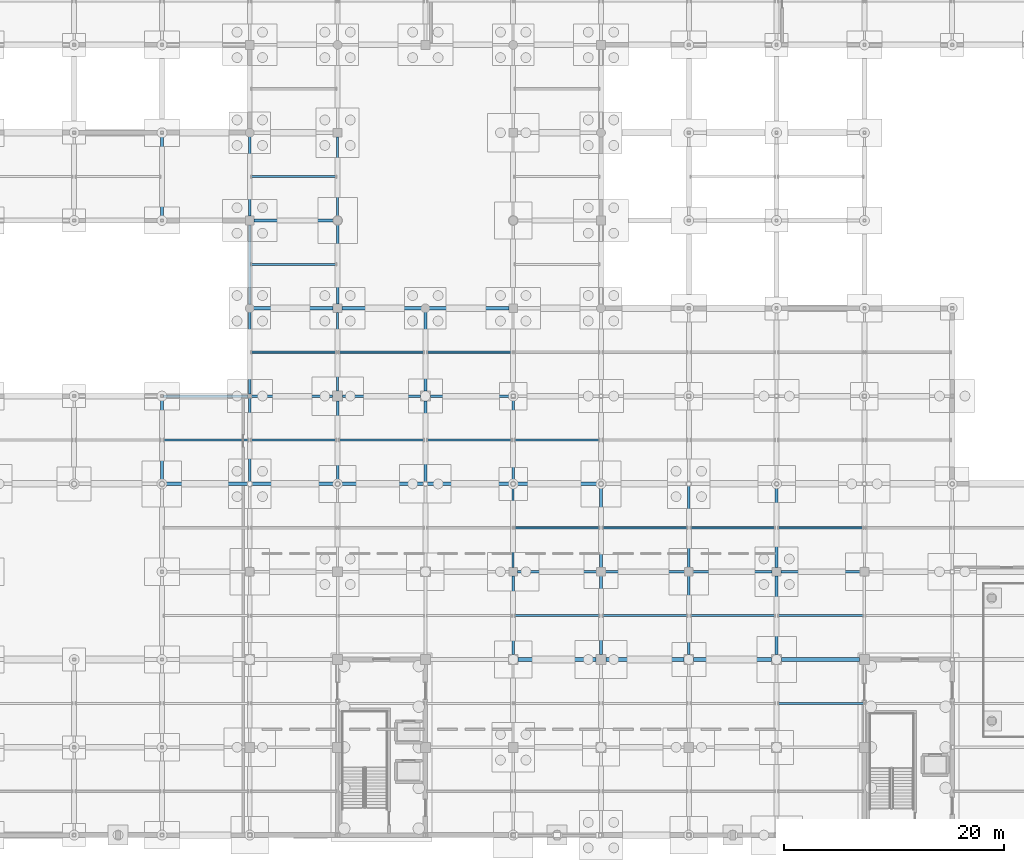
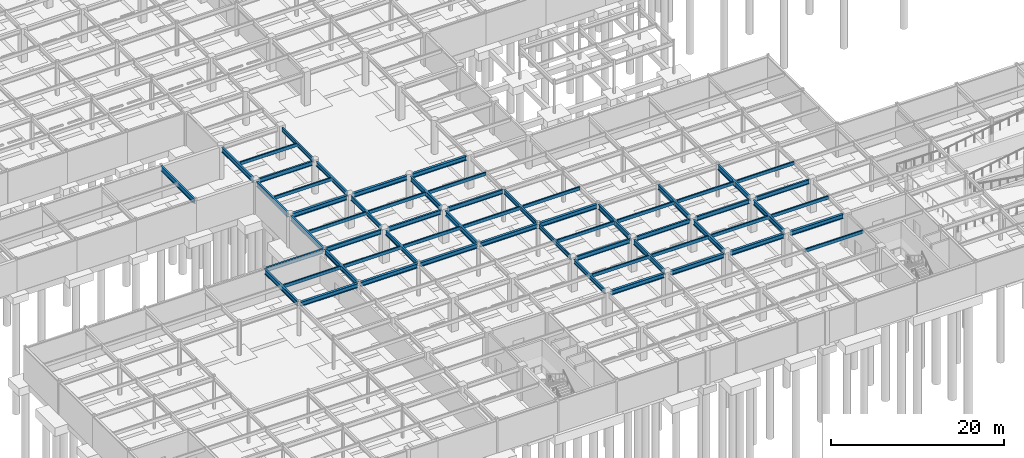
# One storey, part 46 of 105: 61 beams.
"""IFC4 building model written with IfcOpenShell, lengths in metres."""

from ifc_helpers import new_model, si_unit, direction, frame, origin, origin_2d, place, context, subcontext, project, spatial, hollow_rectangle, i_section, extrude, material, material_profile, profile_set, type_object, element, save


model = new_model("IFC4")

# Units and contexts
model_context = context("Model", 3, precision=1e-05, world=origin(), true_north=direction((0.0, 1.0)))
body_context = subcontext(model_context, "Body", "Model", "MODEL_VIEW")
ifc_project = project(units=[si_unit("LENGTHUNIT", "METRE"), si_unit("AREAUNIT", "SQUARE_METRE"), si_unit("VOLUMEUNIT", "CUBIC_METRE"), si_unit("PLANEANGLEUNIT", "RADIAN"), si_unit("MASSUNIT", "GRAM", prefix="KILO")], contexts=[model_context])

# Site, building, storey
site_placement = place(None, origin())
site = spatial("IfcSite", under=ifc_project, at=site_placement, CompositionType="ELEMENT")
building_placement = place(site_placement, origin())
building = spatial("IfcBuilding", under=site, at=building_placement, Name="Solmirada Galleria", CompositionType="ELEMENT")
storey_placement = place(building_placement, frame((0.0, 0.0, -4.800048828125)))
storey = spatial("IfcBuildingStorey", under=building, at=storey_placement, Name="B1", CompositionType="ELEMENT", Elevation=-4.800048828125)

# Beams
ifc_material_1 = material(Name="Steel S355 / ASTM A992 Grade 50", Category="steel")
ifc_material_profile_1 = material_profile(ifc_material_1, i_section(OverallWidth=0.323974609375, OverallDepth=0.611083984375, WebThickness=0.0126953125, FlangeThickness=0.01904296875, FilletRadius=0.014892578125, at=origin_2d()), Name="W24X104")
ifc_profile_set_1 = profile_set([ifc_material_profile_1], Name="Steel S355 / ASTM A992 Grade 50")
beam_type_1 = type_object("IfcBeamType", Name="BM-GIRD-W24A", PredefinedType="BEAM", material=ifc_profile_set_1)
beam_1_placement = place(storey_placement, frame((72.21337890625, 32.0, 4.274658203125), z_axis=(1.0, 0.0, 0.0), x_axis=(0.0, 1.0, 0.0)))
element("IfcBeam", 1, at=beam_1_placement, inside=storey, type_object=beam_type_1, Name="Primary beam L00 X(72..80, 32)", PredefinedType="BEAM", context=body_context, shape_type="SweptSolid", body=[
    extrude(i_section(OverallWidth=0.323974609375, OverallDepth=0.611083984375, WebThickness=0.0126953125, FlangeThickness=0.01904296875, FilletRadius=0.014892578125, at=origin_2d()), origin(), (0.0, 0.0, 1.0), 7.5732421875),
])
beam_2_placement = place(storey_placement, frame((80.21337890625, 32.0, 4.274658203125), z_axis=(1.0, 0.0, 0.0), x_axis=(0.0, 1.0, 0.0)))
element("IfcBeam", 2, at=beam_2_placement, inside=storey, type_object=beam_type_1, Name="Primary beam L00 X(80..88, 32)", PredefinedType="BEAM", context=body_context, shape_type="SweptSolid", body=[
    extrude(i_section(OverallWidth=0.323974609375, OverallDepth=0.611083984375, WebThickness=0.0126953125, FlangeThickness=0.01904296875, FilletRadius=0.014892578125, at=origin_2d()), origin(), (0.0, 0.0, 1.0), 7.5947265625),
])
beam_3_placement = place(storey_placement, frame((80.3359375, 48.0, 4.274658203125), z_axis=(1.0, 0.0, 0.0), x_axis=(0.0, 1.0, 0.0)))
element("IfcBeam", 3, at=beam_3_placement, inside=storey, type_object=beam_type_1, Name="Primary beam L00 X(80..88, 48)", PredefinedType="BEAM", context=body_context, shape_type="SweptSolid", body=[
    extrude(i_section(OverallWidth=0.323974609375, OverallDepth=0.611083984375, WebThickness=0.0126953125, FlangeThickness=0.01904296875, FilletRadius=0.014892578125, at=origin_2d()), origin(), (0.0, 0.0, 1.0), 7.26416015625),
])
beam_4_placement = place(storey_placement, frame((88.19189453125, 32.0, 4.274658203125), z_axis=(1.0, 0.0, 0.0), x_axis=(0.0, 1.0, 0.0)))
element("IfcBeam", 4, at=beam_4_placement, inside=storey, type_object=beam_type_1, Name="Primary beam L00 X(88..96, 32)", PredefinedType="BEAM", context=body_context, shape_type="SweptSolid", body=[
    extrude(i_section(OverallWidth=0.323974609375, OverallDepth=0.611083984375, WebThickness=0.0126953125, FlangeThickness=0.01904296875, FilletRadius=0.014892578125, at=origin_2d()), origin(), (0.0, 0.0, 1.0), 7.6162109375),
])
beam_5_placement = place(storey_placement, frame((88.39990234375, 48.0, 4.274658203125), z_axis=(1.0, 0.0, 0.0), x_axis=(0.0, 1.0, 0.0)))
element("IfcBeam", 5, at=beam_5_placement, inside=storey, type_object=beam_type_1, Name="Primary beam L00 X(88..96, 48)", PredefinedType="BEAM", context=body_context, shape_type="SweptSolid", body=[
    extrude(i_section(OverallWidth=0.323974609375, OverallDepth=0.611083984375, WebThickness=0.0126953125, FlangeThickness=0.01904296875, FilletRadius=0.014892578125, at=origin_2d()), origin(), (0.0, 0.0, 1.0), 7.26416015625),
])
beam_6_placement = place(storey_placement, frame((96.19189453125, 32.0, 4.274658203125), z_axis=(1.0, 0.0, 0.0), x_axis=(0.0, 1.0, 0.0)))
element("IfcBeam", 6, at=beam_6_placement, inside=storey, type_object=beam_type_1, Name="Primary beam L00 X(96..104, 32)", PredefinedType="BEAM", context=body_context, shape_type="SweptSolid", body=[
    extrude(i_section(OverallWidth=0.323974609375, OverallDepth=0.611083984375, WebThickness=0.0126953125, FlangeThickness=0.01904296875, FilletRadius=0.014892578125, at=origin_2d()), origin(), (0.0, 0.0, 1.0), 7.6162109375),
])
beam_7_placement = place(storey_placement, frame((96.3359375, 48.0, 4.274658203125), z_axis=(1.0, 0.0, 0.0), x_axis=(0.0, 1.0, 0.0)))
element("IfcBeam", 7, at=beam_7_placement, inside=storey, type_object=beam_type_1, Name="Primary beam L00 X(96..104, 48)", PredefinedType="BEAM", context=body_context, shape_type="SweptSolid", body=[
    extrude(i_section(OverallWidth=0.323974609375, OverallDepth=0.611083984375, WebThickness=0.0126953125, FlangeThickness=0.01904296875, FilletRadius=0.014892578125, at=origin_2d()), origin(), (0.0, 0.0, 1.0), 7.26416015625),
])
beam_8_placement = place(storey_placement, frame((104.449951171875, 16.0, 4.274658203125), z_axis=(1.0, 0.0, 0.0), x_axis=(0.0, 1.0, 0.0)))
element("IfcBeam", 8, at=beam_8_placement, inside=storey, type_object=beam_type_1, Name="Primary beam L00 X(104..112, 16)", PredefinedType="BEAM", context=body_context, shape_type="SweptSolid", body=[
    extrude(i_section(OverallWidth=0.323974609375, OverallDepth=0.611083984375, WebThickness=0.0126953125, FlangeThickness=0.01904296875, FilletRadius=0.014892578125, at=origin_2d()), origin(), (0.0, 0.0, 1.0), 7.10009765625),
])
beam_9_placement = place(storey_placement, frame((104.19189453125, 32.0, 4.274658203125), z_axis=(1.0, 0.0, 0.0), x_axis=(0.0, 1.0, 0.0)))
element("IfcBeam", 9, at=beam_9_placement, inside=storey, type_object=beam_type_1, Name="Primary beam L00 X(104..112, 32)", PredefinedType="BEAM", context=body_context, shape_type="SweptSolid", body=[
    extrude(i_section(OverallWidth=0.323974609375, OverallDepth=0.611083984375, WebThickness=0.0126953125, FlangeThickness=0.01904296875, FilletRadius=0.014892578125, at=origin_2d()), origin(), (0.0, 0.0, 1.0), 7.6162109375),
])
for number, where, z_axis, x_axis, name in (
    (10, (112.449951171875, 16.0, 4.274658203125), (1.0, 0.0, 0.0), (0.0, 1.0, 0.0), "Primary beam L00 X(112..120, 16)"),
    (11, (120.449951171875, 16.0, 4.274658203125), (1.0, 0.0, 0.0), (0.0, 1.0, 0.0), "Primary beam L00 X(120..128, 16)"),
    (12, (128.449951171875, 16.0, 4.274658203125), (1.0, 0.0, 0.0), (0.0, 1.0, 0.0), "Primary beam L00 X(128..136, 16)"),
):
    element("IfcBeam", number, at=place(storey_placement, frame(where, z_axis=z_axis, x_axis=x_axis)), inside=storey, type_object=beam_type_1, Name=name, PredefinedType="BEAM", context=body_context, shape_type="SweptSolid", body=[
        extrude(i_section(OverallWidth=0.323974609375, OverallDepth=0.611083984375, WebThickness=0.0126953125, FlangeThickness=0.01904296875, FilletRadius=0.014892578125, at=origin_2d()), origin(), (0.0, 0.0, 1.0), 7.10009765625),
    ])
ifc_material_profile_2 = material_profile(ifc_material_1, i_section(OverallWidth=0.22900390625, OverallDepth=0.612060546875, WebThickness=0.011962890625, FlangeThickness=0.01953125, FilletRadius=0.014892578125, at=origin_2d()), Name="W24X84")
ifc_profile_set_2 = profile_set([ifc_material_profile_2], Name="Steel S355 / ASTM A992 Grade 50")
beam_type_2 = type_object("IfcBeamType", Name="BM-GIRD-W24B", PredefinedType="BEAM", material=ifc_profile_set_2)
beam_10_placement = place(storey_placement, frame((72.126953125, 40.0, 4.274169921875), z_axis=(1.0, 0.0, 0.0), x_axis=(0.0, 1.0, 0.0)))
element("IfcBeam", 13, at=beam_10_placement, inside=storey, type_object=beam_type_2, Name="Primary beam L00 X(72..80, 40)", PredefinedType="BEAM", context=body_context, shape_type="SweptSolid", body=[
    extrude(i_section(OverallWidth=0.22900390625, OverallDepth=0.612060546875, WebThickness=0.011962890625, FlangeThickness=0.01953125, FilletRadius=0.014892578125, at=origin_2d()), origin(), (0.0, 0.0, 1.0), 7.695068359375),
])
beam_11_placement = place(storey_placement, frame((80.177978515625, 40.0, 4.274169921875), z_axis=(1.0, 0.0, 0.0), x_axis=(0.0, 1.0, 0.0)))
element("IfcBeam", 14, at=beam_11_placement, inside=storey, type_object=beam_type_2, Name="Primary beam L00 X(80..88, 40)", PredefinedType="BEAM", context=body_context, shape_type="SweptSolid", body=[
    extrude(i_section(OverallWidth=0.22900390625, OverallDepth=0.612060546875, WebThickness=0.011962890625, FlangeThickness=0.01953125, FilletRadius=0.014892578125, at=origin_2d()), origin(), (0.0, 0.0, 1.0), 7.3720703125),
])
beam_12_placement = place(storey_placement, frame((80.39990234375, 56.0, 4.274169921875), z_axis=(1.0, 0.0, 0.0), x_axis=(0.0, 1.0, 0.0)))
element("IfcBeam", 15, at=beam_12_placement, inside=storey, type_object=beam_type_2, Name="Primary beam L00 X(80..88, 56)", PredefinedType="BEAM", context=body_context, shape_type="SweptSolid", body=[
    extrude(i_section(OverallWidth=0.22900390625, OverallDepth=0.612060546875, WebThickness=0.011962890625, FlangeThickness=0.01953125, FilletRadius=0.014892578125, at=origin_2d()), origin(), (0.0, 0.0, 1.0), 7.26416015625),
])
beam_13_placement = place(storey_placement, frame((88.449951171875, 40.0, 4.274169921875), z_axis=(1.0, 0.0, 0.0), x_axis=(0.0, 1.0, 0.0)))
element("IfcBeam", 16, at=beam_13_placement, inside=storey, type_object=beam_type_2, Name="Primary beam L00 X(88..96, 40)", PredefinedType="BEAM", context=body_context, shape_type="SweptSolid", body=[
    extrude(i_section(OverallWidth=0.22900390625, OverallDepth=0.612060546875, WebThickness=0.011962890625, FlangeThickness=0.01953125, FilletRadius=0.014892578125, at=origin_2d()), origin(), (0.0, 0.0, 1.0), 7.10009765625),
])
beam_14_placement = place(storey_placement, frame((96.449951171875, 40.0, 4.274169921875), z_axis=(1.0, 0.0, 0.0), x_axis=(0.0, 1.0, 0.0)))
element("IfcBeam", 17, at=beam_14_placement, inside=storey, type_object=beam_type_2, Name="Primary beam L00 X(96..104, 40)", PredefinedType="BEAM", context=body_context, shape_type="SweptSolid", body=[
    extrude(i_section(OverallWidth=0.22900390625, OverallDepth=0.612060546875, WebThickness=0.011962890625, FlangeThickness=0.01953125, FilletRadius=0.014892578125, at=origin_2d()), origin(), (0.0, 0.0, 1.0), 7.3720703125),
])
for number, where, z_axis, x_axis, name in (
    (18, (104.39990234375, 24.0, 4.274169921875), (1.0, 0.0, 0.0), (0.0, 1.0, 0.0), "Primary beam L00 X(104..112, 24)"),
    (19, (112.39990234375, 24.0, 4.274169921875), (1.0, 0.0, 0.0), (0.0, 1.0, 0.0), "Primary beam L00 X(112..120, 24)"),
    (20, (120.39990234375, 24.0, 4.274169921875), (1.0, 0.0, 0.0), (0.0, 1.0, 0.0), "Primary beam L00 X(120..128, 24)"),
    (21, (128.39990234375, 24.0, 4.274169921875), (1.0, 0.0, 0.0), (0.0, 1.0, 0.0), "Primary beam L00 X(128..136, 24)"),
):
    element("IfcBeam", number, at=place(storey_placement, frame(where, z_axis=z_axis, x_axis=x_axis)), inside=storey, type_object=beam_type_2, Name=name, PredefinedType="BEAM", context=body_context, shape_type="SweptSolid", body=[
        extrude(i_section(OverallWidth=0.22900390625, OverallDepth=0.612060546875, WebThickness=0.011962890625, FlangeThickness=0.01953125, FilletRadius=0.014892578125, at=origin_2d()), origin(), (0.0, 0.0, 1.0), 7.2001953125),
    ])
ifc_material_profile_3 = material_profile(ifc_material_1, i_section(OverallWidth=0.22802734375, OverallDepth=0.60302734375, WebThickness=0.010498046875, FlangeThickness=0.014892578125, FilletRadius=0.014892578125, at=origin_2d()), Name="W24X68")
ifc_profile_set_3 = profile_set([ifc_material_profile_3], Name="Steel S355 / ASTM A992 Grade 50")
beam_type_3 = type_object("IfcBeamType", Name="BM-GIRD-W24C", PredefinedType="BEAM", material=ifc_profile_set_3)
beam_15_placement = place(storey_placement, frame((88.0, 32.19189453125, 4.278564453125), z_axis=(0.0, 1.0, 0.0), x_axis=(-1.0, 0.0, 0.0)))
element("IfcBeam", 22, at=beam_15_placement, inside=storey, type_object=beam_type_3, Name="Primary girder L00 Y(88, 32..40)", PredefinedType="BEAM", context=body_context, shape_type="SweptSolid", body=[
    extrude(i_section(OverallWidth=0.22802734375, OverallDepth=0.60302734375, WebThickness=0.010498046875, FlangeThickness=0.014892578125, FilletRadius=0.014892578125, at=origin_2d()), origin(), (0.0, 0.0, 1.0), 7.358154296875),
])
beam_16_placement = place(storey_placement, frame((88.0, 48.39990234375, 4.278564453125), z_axis=(0.0, 1.0, 0.0), x_axis=(-1.0, 0.0, 0.0)))
element("IfcBeam", 23, at=beam_16_placement, inside=storey, type_object=beam_type_3, Name="Primary girder L00 Y(88, 48..56)", PredefinedType="BEAM", context=body_context, shape_type="SweptSolid", body=[
    extrude(i_section(OverallWidth=0.22802734375, OverallDepth=0.60302734375, WebThickness=0.010498046875, FlangeThickness=0.014892578125, FilletRadius=0.014892578125, at=origin_2d()), origin(), (0.0, 0.0, 1.0), 7.26416015625),
])
beam_17_placement = place(storey_placement, frame((104.0, 16.449951171875, 4.278564453125), z_axis=(0.0, 1.0, 0.0), x_axis=(-1.0, 0.0, 0.0)))
element("IfcBeam", 24, at=beam_17_placement, inside=storey, type_object=beam_type_3, Name="Primary girder L00 Y(104, 16..24)", PredefinedType="BEAM", context=body_context, shape_type="SweptSolid", body=[
    extrude(i_section(OverallWidth=0.22802734375, OverallDepth=0.60302734375, WebThickness=0.010498046875, FlangeThickness=0.014892578125, FilletRadius=0.014892578125, at=origin_2d()), origin(), (0.0, 0.0, 1.0), 7.150146484375),
])
beam_18_placement = place(storey_placement, frame((104.0, 32.19189453125, 4.278564453125), z_axis=(0.0, 1.0, 0.0), x_axis=(-1.0, 0.0, 0.0)))
element("IfcBeam", 25, at=beam_18_placement, inside=storey, type_object=beam_type_3, Name="Primary girder L00 Y(104, 32..40)", PredefinedType="BEAM", context=body_context, shape_type="SweptSolid", body=[
    extrude(i_section(OverallWidth=0.22802734375, OverallDepth=0.60302734375, WebThickness=0.010498046875, FlangeThickness=0.014892578125, FilletRadius=0.014892578125, at=origin_2d()), origin(), (0.0, 0.0, 1.0), 7.630126953125),
])
ifc_material_profile_4 = material_profile(ifc_material_1, i_section(OverallWidth=0.177978515625, OverallDepth=0.59912109375, WebThickness=0.010009765625, FlangeThickness=0.0126953125, FilletRadius=0.013916015625, at=origin_2d()), Name="W24X55")
ifc_profile_set_4 = profile_set([ifc_material_profile_4], Name="Steel S355 / ASTM A992 Grade 50")
beam_type_4 = type_object("IfcBeamType", Name="BM-GIRD-W24D", PredefinedType="BEAM", material=ifc_profile_set_4)
beam_19_placement = place(storey_placement, frame((88.0, 40.449951171875, 4.280517578125), z_axis=(0.0, 1.0, 0.0), x_axis=(-1.0, 0.0, 0.0)))
element("IfcBeam", 26, at=beam_19_placement, inside=storey, type_object=beam_type_4, Name="Primary girder L00 Y(88, 40..48)", PredefinedType="BEAM", context=body_context, shape_type="SweptSolid", body=[
    extrude(i_section(OverallWidth=0.177978515625, OverallDepth=0.59912109375, WebThickness=0.010009765625, FlangeThickness=0.0126953125, FilletRadius=0.013916015625, at=origin_2d()), origin(), (0.0, 0.0, 1.0), 7.150146484375),
])
beam_20_placement = place(storey_placement, frame((88.0, 56.3359375, 4.280517578125), z_axis=(0.0, 1.0, 0.0), x_axis=(-1.0, 0.0, 0.0)))
element("IfcBeam", 27, at=beam_20_placement, inside=storey, type_object=beam_type_4, Name="Primary girder L00 Y(88, 56..64)", PredefinedType="BEAM", context=body_context, shape_type="SweptSolid", body=[
    extrude(i_section(OverallWidth=0.177978515625, OverallDepth=0.59912109375, WebThickness=0.010009765625, FlangeThickness=0.0126953125, FilletRadius=0.013916015625, at=origin_2d()), origin(), (0.0, 0.0, 1.0), 7.26416015625),
])
beam_21_placement = place(storey_placement, frame((104.0, 24.39990234375, 4.280517578125), z_axis=(0.0, 1.0, 0.0), x_axis=(-1.0, 0.0, 0.0)))
element("IfcBeam", 28, at=beam_21_placement, inside=storey, type_object=beam_type_4, Name="Primary girder L00 Y(104, 24..32)", PredefinedType="BEAM", context=body_context, shape_type="SweptSolid", body=[
    extrude(i_section(OverallWidth=0.177978515625, OverallDepth=0.59912109375, WebThickness=0.010009765625, FlangeThickness=0.0126953125, FilletRadius=0.013916015625, at=origin_2d()), origin(), (0.0, 0.0, 1.0), 7.408203125),
])
ifc_material_profile_5 = material_profile(ifc_material_1, i_section(OverallWidth=0.256103515625, OverallDepth=0.693115234375, WebThickness=0.014404296875, FlangeThickness=0.023681640625, FilletRadius=0.01806640625, at=origin_2d()), Name="W27X114")
ifc_profile_set_5 = profile_set([ifc_material_profile_5], Name="Steel S355 / ASTM A992 Grade 50")
beam_type_5 = type_object("IfcBeamType", Name="BM-GIRD-W27A", PredefinedType="BEAM", material=ifc_profile_set_5)
beam_22_placement = place(storey_placement, frame((72.0, 32.21337890625, 4.233642578125), z_axis=(0.0, 1.0, 0.0), x_axis=(-1.0, 0.0, 0.0)))
element("IfcBeam", 29, at=beam_22_placement, inside=storey, type_object=beam_type_5, Name="Primary girder L00 Y(72, 32..40)", PredefinedType="BEAM", context=body_context, shape_type="SweptSolid", body=[
    extrude(i_section(OverallWidth=0.256103515625, OverallDepth=0.693115234375, WebThickness=0.014404296875, FlangeThickness=0.023681640625, FilletRadius=0.01806640625, at=origin_2d()), origin(), (0.0, 0.0, 1.0), 7.65966796875),
])
beam_23_placement = place(storey_placement, frame((72.0, 56.126953125, 4.233642578125), z_axis=(0.0, 1.0, 0.0), x_axis=(-1.0, 0.0, 0.0)))
element("IfcBeam", 30, at=beam_23_placement, inside=storey, type_object=beam_type_5, Name="Primary girder L00 Y(72, 56..64)", PredefinedType="BEAM", context=body_context, shape_type="SweptSolid", body=[
    extrude(i_section(OverallWidth=0.256103515625, OverallDepth=0.693115234375, WebThickness=0.014404296875, FlangeThickness=0.023681640625, FilletRadius=0.01806640625, at=origin_2d()), origin(), (0.0, 0.0, 1.0), 7.74609375),
])
beam_24_placement = place(storey_placement, frame((96.0, 32.19189453125, 4.233642578125), z_axis=(0.0, 1.0, 0.0), x_axis=(-1.0, 0.0, 0.0)))
element("IfcBeam", 31, at=beam_24_placement, inside=storey, type_object=beam_type_5, Name="Primary girder L00 Y(96, 32..40)", PredefinedType="BEAM", context=body_context, shape_type="SweptSolid", body=[
    extrude(i_section(OverallWidth=0.256103515625, OverallDepth=0.693115234375, WebThickness=0.014404296875, FlangeThickness=0.023681640625, FilletRadius=0.01806640625, at=origin_2d()), origin(), (0.0, 0.0, 1.0), 7.358154296875),
])
beam_25_placement = place(storey_placement, frame((96.0, 40.449951171875, 4.233642578125), z_axis=(0.0, 1.0, 0.0), x_axis=(-1.0, 0.0, 0.0)))
element("IfcBeam", 32, at=beam_25_placement, inside=storey, type_object=beam_type_5, Name="Primary girder L00 Y(96, 40..48)", PredefinedType="BEAM", context=body_context, shape_type="SweptSolid", body=[
    extrude(i_section(OverallWidth=0.256103515625, OverallDepth=0.693115234375, WebThickness=0.014404296875, FlangeThickness=0.023681640625, FilletRadius=0.01806640625, at=origin_2d()), origin(), (0.0, 0.0, 1.0), 7.214111328125),
])
beam_26_placement = place(storey_placement, frame((120.0, 16.449951171875, 4.233642578125), z_axis=(0.0, 1.0, 0.0), x_axis=(-1.0, 0.0, 0.0)))
element("IfcBeam", 33, at=beam_26_placement, inside=storey, type_object=beam_type_5, Name="Primary girder L00 Y(120, 16..24)", PredefinedType="BEAM", context=body_context, shape_type="SweptSolid", body=[
    extrude(i_section(OverallWidth=0.256103515625, OverallDepth=0.693115234375, WebThickness=0.014404296875, FlangeThickness=0.023681640625, FilletRadius=0.01806640625, at=origin_2d()), origin(), (0.0, 0.0, 1.0), 7.150146484375),
])
beam_27_placement = place(storey_placement, frame((120.0, 24.39990234375, 4.233642578125), z_axis=(0.0, 1.0, 0.0), x_axis=(-1.0, 0.0, 0.0)))
element("IfcBeam", 34, at=beam_27_placement, inside=storey, type_object=beam_type_5, Name="Primary girder L00 Y(120, 24..32)", PredefinedType="BEAM", context=body_context, shape_type="SweptSolid", body=[
    extrude(i_section(OverallWidth=0.256103515625, OverallDepth=0.693115234375, WebThickness=0.014404296875, FlangeThickness=0.023681640625, FilletRadius=0.01806640625, at=origin_2d()), origin(), (0.0, 0.0, 1.0), 7.408203125),
])
ifc_material_profile_6 = material_profile(ifc_material_1, i_section(OverallWidth=0.25390625, OverallDepth=0.68408203125, WebThickness=0.012451171875, FlangeThickness=0.018798828125, FilletRadius=0.01708984375, at=origin_2d()), Name="W27X94")
ifc_profile_set_6 = profile_set([ifc_material_profile_6], Name="Steel S355 / ASTM A992 Grade 50")
beam_type_6 = type_object("IfcBeamType", Name="BM-GIRD-W27B", PredefinedType="BEAM", material=ifc_profile_set_6)
beam_28_placement = place(storey_placement, frame((80.0, 32.21337890625, 4.238037109375), z_axis=(0.0, 1.0, 0.0), x_axis=(-1.0, 0.0, 0.0)))
element("IfcBeam", 35, at=beam_28_placement, inside=storey, type_object=beam_type_6, Name="Primary girder L00 Y(80, 32..40)", PredefinedType="BEAM", context=body_context, shape_type="SweptSolid", body=[
    extrude(i_section(OverallWidth=0.25390625, OverallDepth=0.68408203125, WebThickness=0.012451171875, FlangeThickness=0.018798828125, FilletRadius=0.01708984375, at=origin_2d()), origin(), (0.0, 0.0, 1.0), 7.608642578125),
])
beam_29_placement = place(storey_placement, frame((80.0, 40.177978515625, 4.238037109375), z_axis=(0.0, 1.0, 0.0), x_axis=(-1.0, 0.0, 0.0)))
element("IfcBeam", 36, at=beam_29_placement, inside=storey, type_object=beam_type_6, Name="Primary girder L00 Y(80, 40..48)", PredefinedType="BEAM", context=body_context, shape_type="SweptSolid", body=[
    extrude(i_section(OverallWidth=0.25390625, OverallDepth=0.68408203125, WebThickness=0.012451171875, FlangeThickness=0.018798828125, FilletRadius=0.01708984375, at=origin_2d()), origin(), (0.0, 0.0, 1.0), 7.486083984375),
])
for number, where, z_axis, x_axis, name in (
    (37, (80.0, 48.3359375, 4.238037109375), (0.0, 1.0, 0.0), (-1.0, 0.0, 0.0), "Primary girder L00 Y(80, 48..56)"),
    (38, (80.0, 56.39990234375, 4.238037109375), (0.0, 1.0, 0.0), (-1.0, 0.0, 0.0), "Primary girder L00 Y(80, 56..64)"),
):
    element("IfcBeam", number, at=place(storey_placement, frame(where, z_axis=z_axis, x_axis=x_axis)), inside=storey, type_object=beam_type_6, Name=name, PredefinedType="BEAM", context=body_context, shape_type="SweptSolid", body=[
        extrude(i_section(OverallWidth=0.25390625, OverallDepth=0.68408203125, WebThickness=0.012451171875, FlangeThickness=0.018798828125, FilletRadius=0.01708984375, at=origin_2d()), origin(), (0.0, 0.0, 1.0), 7.26416015625),
    ])
beam_30_placement = place(storey_placement, frame((112.0, 16.449951171875, 4.238037109375), z_axis=(0.0, 1.0, 0.0), x_axis=(-1.0, 0.0, 0.0)))
element("IfcBeam", 39, at=beam_30_placement, inside=storey, type_object=beam_type_6, Name="Primary girder L00 Y(112, 16..24)", PredefinedType="BEAM", context=body_context, shape_type="SweptSolid", body=[
    extrude(i_section(OverallWidth=0.25390625, OverallDepth=0.68408203125, WebThickness=0.012451171875, FlangeThickness=0.018798828125, FilletRadius=0.01708984375, at=origin_2d()), origin(), (0.0, 0.0, 1.0), 7.150146484375),
])
beam_31_placement = place(storey_placement, frame((112.0, 24.39990234375, 4.238037109375), z_axis=(0.0, 1.0, 0.0), x_axis=(-1.0, 0.0, 0.0)))
element("IfcBeam", 40, at=beam_31_placement, inside=storey, type_object=beam_type_6, Name="Primary girder L00 Y(112, 24..32)", PredefinedType="BEAM", context=body_context, shape_type="SweptSolid", body=[
    extrude(i_section(OverallWidth=0.25390625, OverallDepth=0.68408203125, WebThickness=0.012451171875, FlangeThickness=0.018798828125, FilletRadius=0.01708984375, at=origin_2d()), origin(), (0.0, 0.0, 1.0), 7.408203125),
])
beam_32_placement = place(storey_placement, frame((128.0, 16.449951171875, 4.238037109375), z_axis=(0.0, 1.0, 0.0), x_axis=(-1.0, 0.0, 0.0)))
element("IfcBeam", 41, at=beam_32_placement, inside=storey, type_object=beam_type_6, Name="Primary girder L00 Y(128, 16..24)", PredefinedType="BEAM", context=body_context, shape_type="SweptSolid", body=[
    extrude(i_section(OverallWidth=0.25390625, OverallDepth=0.68408203125, WebThickness=0.012451171875, FlangeThickness=0.018798828125, FilletRadius=0.01708984375, at=origin_2d()), origin(), (0.0, 0.0, 1.0), 7.150146484375),
])
beam_33_placement = place(storey_placement, frame((128.0, 24.39990234375, 4.238037109375), z_axis=(0.0, 1.0, 0.0), x_axis=(-1.0, 0.0, 0.0)))
element("IfcBeam", 42, at=beam_33_placement, inside=storey, type_object=beam_type_6, Name="Primary girder L00 Y(128, 24..32)", PredefinedType="BEAM", context=body_context, shape_type="SweptSolid", body=[
    extrude(i_section(OverallWidth=0.25390625, OverallDepth=0.68408203125, WebThickness=0.012451171875, FlangeThickness=0.018798828125, FilletRadius=0.01708984375, at=origin_2d()), origin(), (0.0, 0.0, 1.0), 7.4296875),
])
ifc_material_2 = material(Name="Steel S355 / ASTM A500 Grade C", Category="steel")
ifc_material_profile_7 = material_profile(ifc_material_2, hollow_rectangle(XDim=0.202880859375, YDim=0.45703125, WallThickness=0.01171875, InnerFilletRadius=0.01171875, OuterFilletRadius=0.023681640625, at=origin_2d()), Name="HSS18X8X1/2")
ifc_profile_set_7 = profile_set([ifc_material_profile_7], Name="Steel S355 / ASTM A500 Grade C")
beam_type_7 = type_object("IfcBeamType", Name="BM-JST-W16A", PredefinedType="JOIST", material=ifc_profile_set_7)
beam_34_placement = place(storey_placement, frame((72.1279296875, 36.0, 4.3515625), z_axis=(1.0, 0.0, 0.0), x_axis=(0.0, 1.0, 0.0)))
element("IfcBeam", 43, at=beam_34_placement, inside=storey, type_object=beam_type_7, Name="Composite floor joist L00 (72..80, 36.0)", PredefinedType="JOIST", context=body_context, shape_type="SweptSolid", body=[
    extrude(hollow_rectangle(XDim=0.202880859375, YDim=0.45703125, WallThickness=0.01171875, InnerFilletRadius=0.01171875, OuterFilletRadius=0.023681640625, at=origin_2d()), origin(), (0.0, 0.0, 1.0), 7.7451171875),
])
beam_35_placement = place(storey_placement, frame((80.126953125, 36.0, 4.3515625), z_axis=(1.0, 0.0, 0.0), x_axis=(0.0, 1.0, 0.0)))
element("IfcBeam", 44, at=beam_35_placement, inside=storey, type_object=beam_type_7, Name="Composite floor joist L00 (80..88, 36.0)", PredefinedType="JOIST", context=body_context, shape_type="SweptSolid", body=[
    extrude(hollow_rectangle(XDim=0.202880859375, YDim=0.45703125, WallThickness=0.01171875, InnerFilletRadius=0.01171875, OuterFilletRadius=0.023681640625, at=origin_2d()), origin(), (0.0, 0.0, 1.0), 7.759033203125),
])
beam_36_placement = place(storey_placement, frame((80.126953125, 44.0, 4.3515625), z_axis=(1.0, 0.0, 0.0), x_axis=(0.0, 1.0, 0.0)))
element("IfcBeam", 45, at=beam_36_placement, inside=storey, type_object=beam_type_7, Name="Composite floor joist L00 (80..88, 44.0)", PredefinedType="JOIST", context=body_context, shape_type="SweptSolid", body=[
    extrude(hollow_rectangle(XDim=0.202880859375, YDim=0.45703125, WallThickness=0.01171875, InnerFilletRadius=0.01171875, OuterFilletRadius=0.023681640625, at=origin_2d()), origin(), (0.0, 0.0, 1.0), 7.783935546875),
])
beam_37_placement = place(storey_placement, frame((80.126953125, 52.0, 4.3515625), z_axis=(1.0, 0.0, 0.0), x_axis=(0.0, 1.0, 0.0)))
element("IfcBeam", 46, at=beam_37_placement, inside=storey, type_object=beam_type_7, Name="Composite floor joist L00 (80..88, 52.0)", PredefinedType="JOIST", context=body_context, shape_type="SweptSolid", body=[
    extrude(hollow_rectangle(XDim=0.202880859375, YDim=0.45703125, WallThickness=0.01171875, InnerFilletRadius=0.01171875, OuterFilletRadius=0.023681640625, at=origin_2d()), origin(), (0.0, 0.0, 1.0), 7.759033203125),
])
beam_38_placement = place(storey_placement, frame((80.126953125, 60.0, 4.3515625), z_axis=(1.0, 0.0, 0.0), x_axis=(0.0, 1.0, 0.0)))
element("IfcBeam", 47, at=beam_38_placement, inside=storey, type_object=beam_type_7, Name="Composite floor joist L00 (80..88, 60.0)", PredefinedType="JOIST", context=body_context, shape_type="SweptSolid", body=[
    extrude(hollow_rectangle(XDim=0.202880859375, YDim=0.45703125, WallThickness=0.01171875, InnerFilletRadius=0.01171875, OuterFilletRadius=0.023681640625, at=origin_2d()), origin(), (0.0, 0.0, 1.0), 7.783935546875),
])
beam_39_placement = place(storey_placement, frame((88.114013671875, 36.0, 4.3515625), z_axis=(1.0, 0.0, 0.0), x_axis=(0.0, 1.0, 0.0)))
element("IfcBeam", 48, at=beam_39_placement, inside=storey, type_object=beam_type_7, Name="Composite floor joist L00 (88..96, 36.0)", PredefinedType="JOIST", context=body_context, shape_type="SweptSolid", body=[
    extrude(hollow_rectangle(XDim=0.202880859375, YDim=0.45703125, WallThickness=0.01171875, InnerFilletRadius=0.01171875, OuterFilletRadius=0.023681640625, at=origin_2d()), origin(), (0.0, 0.0, 1.0), 7.758056640625),
])
beam_40_placement = place(storey_placement, frame((88.089111328125, 44.0, 4.3515625), z_axis=(1.0, 0.0, 0.0), x_axis=(0.0, 1.0, 0.0)))
element("IfcBeam", 49, at=beam_40_placement, inside=storey, type_object=beam_type_7, Name="Composite floor joist L00 (88..96, 44.0)", PredefinedType="JOIST", context=body_context, shape_type="SweptSolid", body=[
    extrude(hollow_rectangle(XDim=0.202880859375, YDim=0.45703125, WallThickness=0.01171875, InnerFilletRadius=0.01171875, OuterFilletRadius=0.023681640625, at=origin_2d()), origin(), (0.0, 0.0, 1.0), 7.782958984375),
])
beam_41_placement = place(storey_placement, frame((96.1279296875, 36.0, 4.3515625), z_axis=(1.0, 0.0, 0.0), x_axis=(0.0, 1.0, 0.0)))
element("IfcBeam", 50, at=beam_41_placement, inside=storey, type_object=beam_type_7, Name="Composite floor joist L00 (96..104, 36.0)", PredefinedType="JOIST", context=body_context, shape_type="SweptSolid", body=[
    extrude(hollow_rectangle(XDim=0.202880859375, YDim=0.45703125, WallThickness=0.01171875, InnerFilletRadius=0.01171875, OuterFilletRadius=0.023681640625, at=origin_2d()), origin(), (0.0, 0.0, 1.0), 7.758056640625),
])
beam_42_placement = place(storey_placement, frame((96.1279296875, 44.0, 4.3515625), z_axis=(1.0, 0.0, 0.0), x_axis=(0.0, 1.0, 0.0)))
element("IfcBeam", 51, at=beam_42_placement, inside=storey, type_object=beam_type_7, Name="Composite floor joist L00 (96..104, 44.0)", PredefinedType="JOIST", context=body_context, shape_type="SweptSolid", body=[
    extrude(hollow_rectangle(XDim=0.202880859375, YDim=0.45703125, WallThickness=0.01171875, InnerFilletRadius=0.01171875, OuterFilletRadius=0.023681640625, at=origin_2d()), origin(), (0.0, 0.0, 1.0), 7.782958984375),
])
beam_43_placement = place(storey_placement, frame((104.114013671875, 20.0, 4.3515625), z_axis=(1.0, 0.0, 0.0), x_axis=(0.0, 1.0, 0.0)))
element("IfcBeam", 52, at=beam_43_placement, inside=storey, type_object=beam_type_7, Name="Composite floor joist L00 (104..112, 20.0)", PredefinedType="JOIST", context=body_context, shape_type="SweptSolid", body=[
    extrude(hollow_rectangle(XDim=0.202880859375, YDim=0.45703125, WallThickness=0.01171875, InnerFilletRadius=0.01171875, OuterFilletRadius=0.023681640625, at=origin_2d()), origin(), (0.0, 0.0, 1.0), 7.759033203125),
])
beam_44_placement = place(storey_placement, frame((104.089111328125, 28.0, 4.3515625), z_axis=(1.0, 0.0, 0.0), x_axis=(0.0, 1.0, 0.0)))
element("IfcBeam", 53, at=beam_44_placement, inside=storey, type_object=beam_type_7, Name="Composite floor joist L00 (104..112, 28.0)", PredefinedType="JOIST", context=body_context, shape_type="SweptSolid", body=[
    extrude(hollow_rectangle(XDim=0.202880859375, YDim=0.45703125, WallThickness=0.01171875, InnerFilletRadius=0.01171875, OuterFilletRadius=0.023681640625, at=origin_2d()), origin(), (0.0, 0.0, 1.0), 7.783935546875),
])
beam_45_placement = place(storey_placement, frame((104.114013671875, 36.0, 4.3515625), z_axis=(1.0, 0.0, 0.0), x_axis=(0.0, 1.0, 0.0)))
element("IfcBeam", 54, at=beam_45_placement, inside=storey, type_object=beam_type_7, Name="Composite floor joist L00 (104..112, 36.0)", PredefinedType="JOIST", context=body_context, shape_type="SweptSolid", body=[
    extrude(hollow_rectangle(XDim=0.202880859375, YDim=0.45703125, WallThickness=0.01171875, InnerFilletRadius=0.01171875, OuterFilletRadius=0.023681640625, at=origin_2d()), origin(), (0.0, 0.0, 1.0), 7.759033203125),
])
for number, where, z_axis, x_axis, name in (
    (55, (112.126953125, 20.0, 4.3515625), (1.0, 0.0, 0.0), (0.0, 1.0, 0.0), "Composite floor joist L00 (112..120, 20.0)"),
    (56, (112.126953125, 28.0, 4.3515625), (1.0, 0.0, 0.0), (0.0, 1.0, 0.0), "Composite floor joist L00 (112..120, 28.0)"),
    (57, (120.1279296875, 20.0, 4.3515625), (1.0, 0.0, 0.0), (0.0, 1.0, 0.0), "Composite floor joist L00 (120..128, 20.0)"),
    (58, (120.1279296875, 28.0, 4.3515625), (1.0, 0.0, 0.0), (0.0, 1.0, 0.0), "Composite floor joist L00 (120..128, 28.0)"),
):
    element("IfcBeam", number, at=place(storey_placement, frame(where, z_axis=z_axis, x_axis=x_axis)), inside=storey, type_object=beam_type_7, Name=name, PredefinedType="JOIST", context=body_context, shape_type="SweptSolid", body=[
        extrude(hollow_rectangle(XDim=0.202880859375, YDim=0.45703125, WallThickness=0.01171875, InnerFilletRadius=0.01171875, OuterFilletRadius=0.023681640625, at=origin_2d()), origin(), (0.0, 0.0, 1.0), 7.7451171875),
    ])
beam_46_placement = place(storey_placement, frame((128.126953125, 12.0, 4.3515625), z_axis=(1.0, 0.0, 0.0), x_axis=(0.0, 1.0, 0.0)))
element("IfcBeam", 59, at=beam_46_placement, inside=storey, type_object=beam_type_7, Name="Composite floor joist L00 (128..136, 12.0)", PredefinedType="JOIST", context=body_context, shape_type="SweptSolid", body=[
    extrude(hollow_rectangle(XDim=0.202880859375, YDim=0.45703125, WallThickness=0.01171875, InnerFilletRadius=0.01171875, OuterFilletRadius=0.023681640625, at=origin_2d()), origin(), (0.0, 0.0, 1.0), 7.783935546875),
])
beam_47_placement = place(storey_placement, frame((128.126953125, 20.0, 4.3515625), z_axis=(1.0, 0.0, 0.0), x_axis=(0.0, 1.0, 0.0)))
element("IfcBeam", 60, at=beam_47_placement, inside=storey, type_object=beam_type_7, Name="Composite floor joist L00 (128..136, 20.0)", PredefinedType="JOIST", context=body_context, shape_type="SweptSolid", body=[
    extrude(hollow_rectangle(XDim=0.202880859375, YDim=0.45703125, WallThickness=0.01171875, InnerFilletRadius=0.01171875, OuterFilletRadius=0.023681640625, at=origin_2d()), origin(), (0.0, 0.0, 1.0), 7.759033203125),
])
beam_48_placement = place(storey_placement, frame((128.126953125, 28.0, 4.3515625), z_axis=(1.0, 0.0, 0.0), x_axis=(0.0, 1.0, 0.0)))
element("IfcBeam", 61, at=beam_48_placement, inside=storey, type_object=beam_type_7, Name="Composite floor joist L00 (128..136, 28.0)", PredefinedType="JOIST", context=body_context, shape_type="SweptSolid", body=[
    extrude(hollow_rectangle(XDim=0.202880859375, YDim=0.45703125, WallThickness=0.01171875, InnerFilletRadius=0.01171875, OuterFilletRadius=0.023681640625, at=origin_2d()), origin(), (0.0, 0.0, 1.0), 7.783935546875),
])

save(model, "model.ifc")
